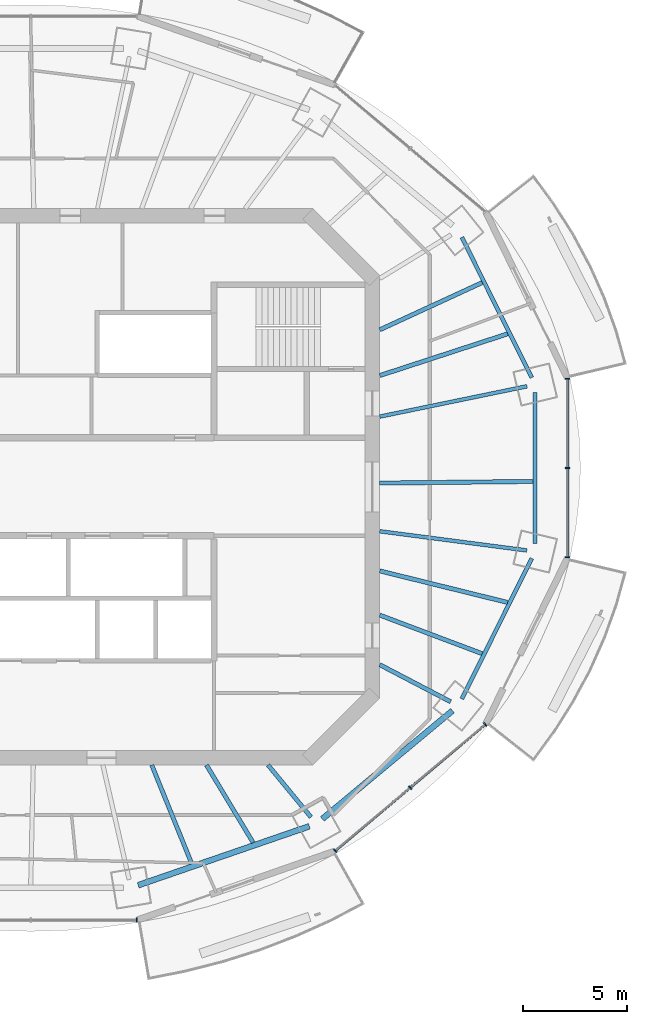
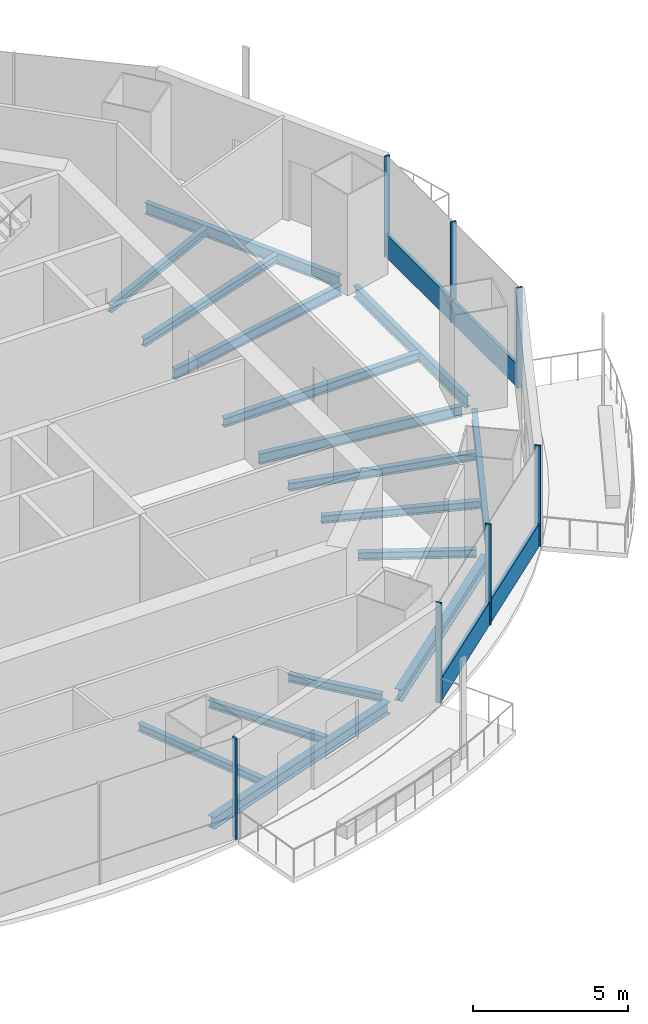
# One storey, part 4 of 16: 16 beams, 9 members, 3 elements without a shape of their own.
"""IFC4 building model written with IfcOpenShell, lengths in metres."""

from ifc_helpers import new_model, si_unit, direction, frame, origin, origin_2d, place, context, subcontext, project, spatial, rectangle, i_section, extrude, material, material_profile, profile_set, type_object, element, aggregate, save


model = new_model("IFC4")

# Units and contexts
model_context = context("Model", 3, precision=1e-05, world=origin(), true_north=direction((0.0, 1.0)))
body_context = subcontext(model_context, "Body", "Model", "MODEL_VIEW")
ifc_project = project(units=[si_unit("LENGTHUNIT", "METRE"), si_unit("AREAUNIT", "SQUARE_METRE"), si_unit("VOLUMEUNIT", "CUBIC_METRE"), si_unit("PLANEANGLEUNIT", "RADIAN"), si_unit("MASSUNIT", "GRAM", prefix="KILO")], contexts=[model_context])

# Site, building, storey
site_placement = place(None, origin())
site = spatial("IfcSite", under=ifc_project, at=site_placement, CompositionType="ELEMENT")
building_placement = place(site_placement, origin())
building = spatial("IfcBuilding", under=site, at=building_placement, Name="Marenthal Gate Tower", CompositionType="ELEMENT")
storey_placement = place(building_placement, frame((0.0, 0.0, 359.199951171875)))
storey = spatial("IfcBuildingStorey", under=building, at=storey_placement, Name="L81", CompositionType="ELEMENT", Elevation=359.199951171875)

# Curtain wall, member
ifc_material_1 = material(Name="Aluminium and glass", Category="aluminium")
curtain_wall_type = type_object("IfcCurtainWallType", Name="Curtain wall typical high", PredefinedType="NOTDEFINED", material=ifc_material_1)
curtain_wall_1_placement = place(storey_placement, origin())
curtain_wall_1 = element("IfcCurtainWall", 1, at=curtain_wall_1_placement, inside=storey, type_object=curtain_wall_type, Name="Curtain wall L81 bay 12", PredefinedType="NOTDEFINED")
ifc_material_2 = material(Name="Aluminium", Category="aluminium")
ifc_material_profile_1 = material_profile(ifc_material_2, rectangle(XDim=0.199951171875, YDim=0.06005859375, at=origin_2d()), Name="60x200 aluminium mullion")
ifc_profile_set_1 = profile_set([ifc_material_profile_1], Name="Aluminium")
member_type_1 = type_object("IfcMemberType", Name="Mullion 60x200 typical high", PredefinedType="MULLION", material=ifc_profile_set_1)
member_1_placement = place(storey_placement, frame((4.694091796875, -20.7861328125, 0.0), z_axis=(0.0, 0.0, 1.0), x_axis=(0.0, 1.0, 0.0)))
member_1 = element("IfcMember", 2, at=member_1_placement, type_object=member_type_1, Name="Mullion L81 bay 12.3", PredefinedType="MULLION", context=body_context, shape_type="SweptSolid", body=[
    extrude(rectangle(XDim=0.199951171875, YDim=0.06005859375, at=origin_2d()), origin(), (0.0, 0.0, 1.0), 3.969970703125),
])
aggregate(curtain_wall_1, [member_1])

# Curtain wall, members
curtain_wall_2_placement = place(storey_placement, origin())
curtain_wall_2 = element("IfcCurtainWall", 3, at=curtain_wall_2_placement, inside=storey, type_object=curtain_wall_type, Name="Curtain wall L81 bay 14", PredefinedType="NOTDEFINED")
member_2_placement = place(storey_placement, frame((14.215087890625, -17.46533203125, 0.0), z_axis=(0.0, 0.0, 1.0), x_axis=(-0.644022605429, 0.765006459905, 0.0)))
member_2 = element("IfcMember", 4, at=member_2_placement, type_object=member_type_1, Name="Mullion L81 bay 14.1", PredefinedType="MULLION", context=body_context, shape_type="SweptSolid", body=[
    extrude(rectangle(XDim=0.199951171875, YDim=0.06005859375, at=origin_2d()), origin(), (0.0, 0.0, 1.0), 3.969970703125),
])
member_3_placement = place(storey_placement, frame((17.8154296875, -14.434326171875, 0.0), z_axis=(0.0, 0.0, 1.0), x_axis=(-0.644022605429, 0.765006459905, 0.0)))
member_3 = element("IfcMember", 5, at=member_3_placement, type_object=member_type_1, Name="Mullion L81 bay 14.2", PredefinedType="MULLION", context=body_context, shape_type="SweptSolid", body=[
    extrude(rectangle(XDim=0.199951171875, YDim=0.06005859375, at=origin_2d()), origin(), (0.0, 0.0, 1.0), 3.969970703125),
])
member_4_placement = place(storey_placement, frame((21.41552734375, -11.403564453125, 0.0), z_axis=(0.0, 0.0, 1.0), x_axis=(-0.644022605429, 0.765006459905, 0.0)))
member_4 = element("IfcMember", 6, at=member_4_placement, type_object=member_type_1, Name="Mullion L81 bay 14.3", PredefinedType="MULLION", context=body_context, shape_type="SweptSolid", body=[
    extrude(rectangle(XDim=0.199951171875, YDim=0.06005859375, at=origin_2d()), origin(), (0.0, 0.0, 1.0), 3.969970703125),
])

curtain_wall_3_placement = place(storey_placement, origin())
curtain_wall_3 = element("IfcCurtainWall", 7, at=curtain_wall_3_placement, inside=storey, type_object=curtain_wall_type, Name="Curtain wall L81 bay 16", PredefinedType="NOTDEFINED")
member_5_placement = place(storey_placement, frame((25.3603515625, -3.383544921875, 0.0), z_axis=(0.0, 0.0, 1.0), x_axis=(-1.0, 0.0, 0.0)))
member_5 = element("IfcMember", 8, at=member_5_placement, type_object=member_type_1, Name="Mullion L81 bay 16.1", PredefinedType="MULLION", context=body_context, shape_type="SweptSolid", body=[
    extrude(rectangle(XDim=0.199951171875, YDim=0.06005859375, at=origin_2d()), origin(), (0.0, 0.0, 1.0), 3.969970703125),
])
member_6_placement = place(storey_placement, frame((25.3603515625, 0.89990234375, 0.0), z_axis=(0.0, 0.0, 1.0), x_axis=(-1.0, 0.0, 0.0)))
member_6 = element("IfcMember", 9, at=member_6_placement, type_object=member_type_1, Name="Mullion L81 bay 16.2", PredefinedType="MULLION", context=body_context, shape_type="SweptSolid", body=[
    extrude(rectangle(XDim=0.199951171875, YDim=0.06005859375, at=origin_2d()), origin(), (0.0, 0.0, 1.0), 3.969970703125),
])
member_7_placement = place(storey_placement, frame((25.3603515625, 5.18359375, 0.0), z_axis=(0.0, 0.0, 1.0), x_axis=(-1.0, 0.0, 0.0)))
member_7 = element("IfcMember", 10, at=member_7_placement, type_object=member_type_1, Name="Mullion L81 bay 16.3", PredefinedType="MULLION", context=body_context, shape_type="SweptSolid", body=[
    extrude(rectangle(XDim=0.199951171875, YDim=0.06005859375, at=origin_2d()), origin(), (0.0, 0.0, 1.0), 3.969970703125),
])

# Member
ifc_material_3 = material(Name="Aluminium", Category="aluminium")
ifc_material_profile_2 = material_profile(ifc_material_3, rectangle(XDim=0.1201171875, YDim=0.89990234375, at=origin_2d()), Name="120x900 aluminium transom")
ifc_profile_set_2 = profile_set([ifc_material_profile_2], Name="Aluminium")
member_type_2 = type_object("IfcMemberType", Name="Transom 120x900 typical high", PredefinedType="USERDEFINED", material=ifc_profile_set_2)
member_8_placement = place(storey_placement, frame((14.238037109375, -17.446044921875, 0.449951171875), z_axis=(0.764999870882, 0.644030432162, 0.0), x_axis=(-0.644030432162, 0.764999870882, 0.0)))
member_8 = element("IfcMember", 11, at=member_8_placement, type_object=member_type_2, Name="Transom L81 bay 14", ObjectType="TRANSOM", PredefinedType="USERDEFINED", context=body_context, shape_type="SweptSolid", body=[
    extrude(rectangle(XDim=0.1201171875, YDim=0.89990234375, at=origin_2d()), origin(), (0.0, 0.0, 1.0), 9.352294921875),
])

aggregate(curtain_wall_2, [member_2, member_3, member_4, member_8])

member_9_placement = place(storey_placement, frame((25.3603515625, -3.353515625, 0.449951171875), z_axis=(0.0, 1.0, 0.0), x_axis=(-1.0, 0.0, 0.0)))
member_9 = element("IfcMember", 12, at=member_9_placement, type_object=member_type_2, Name="Transom L81 bay 16", ObjectType="TRANSOM", PredefinedType="USERDEFINED", context=body_context, shape_type="SweptSolid", body=[
    extrude(rectangle(XDim=0.1201171875, YDim=0.89990234375, at=origin_2d()), origin(), (0.0, 0.0, 1.0), 8.507080078125),
])

aggregate(curtain_wall_3, [member_5, member_6, member_7, member_9])

# Beams
ifc_material_4 = material(Name="Steel S355", Category="steel")
ifc_material_profile_3 = material_profile(ifc_material_4, i_section(OverallWidth=0.202880859375, OverallDepth=0.302001953125, WebThickness=0.007568359375, FlangeThickness=0.01318359375, FilletRadius=0.0126953125, at=origin_2d()), Name="W310X60")
ifc_profile_set_3 = profile_set([ifc_material_profile_3], Name="Steel S355")
beam_type_1 = type_object("IfcBeamType", Name="W310X60 beam", PredefinedType="BEAM", material=ifc_profile_set_3)
beam_1_placement = place(storey_placement, frame((21.2666015625, 9.79931640625, -0.3310546875), z_axis=(-0.90822452273, -0.418483233013, 0.0), x_axis=(0.418483233013, -0.90822452273, 0.0)))
element("IfcBeam", 13, at=beam_1_placement, inside=storey, type_object=beam_type_1, Name="BM-L81-18", PredefinedType="BEAM", context=body_context, shape_type="SweptSolid", body=[
    extrude(i_section(OverallWidth=0.202880859375, OverallDepth=0.302001953125, WebThickness=0.007568359375, FlangeThickness=0.01318359375, FilletRadius=0.0126953125, at=origin_2d()), origin(), (0.0, 0.0, 1.0), 5.413330078125),
])
beam_2_placement = place(storey_placement, frame((7.32958984375, -18.085205078125, -0.3310546875), z_axis=(-0.375629684386, 0.92676984209, 0.0), x_axis=(-0.92676984209, -0.375629684386, 0.0)))
element("IfcBeam", 14, at=beam_2_placement, inside=storey, type_object=beam_type_1, Name="BM-L81-34", PredefinedType="BEAM", context=body_context, shape_type="SweptSolid", body=[
    extrude(i_section(OverallWidth=0.202880859375, OverallDepth=0.302001953125, WebThickness=0.007568359375, FlangeThickness=0.01318359375, FilletRadius=0.0126953125, at=origin_2d()), origin(), (0.0, 0.0, 1.0), 5.109375),
])
beam_3_placement = place(storey_placement, frame((10.274658203125, -17.070556640625, -0.3310546875), z_axis=(-0.515718873754, 0.856757867343, 0.0), x_axis=(-0.856757867343, -0.515718873754, 0.0)))
element("IfcBeam", 15, at=beam_3_placement, inside=storey, type_object=beam_type_1, Name="BM-L81-35", PredefinedType="BEAM", context=body_context, shape_type="SweptSolid", body=[
    extrude(i_section(OverallWidth=0.202880859375, OverallDepth=0.302001953125, WebThickness=0.007568359375, FlangeThickness=0.01318359375, FilletRadius=0.0126953125, at=origin_2d()), origin(), (0.0, 0.0, 1.0), 4.342529296875),
])
beam_4_placement = place(storey_placement, frame((21.263671875, -8.005615234375, -0.3310546875), z_axis=(-0.935858242886, 0.352376714926, 0.0), x_axis=(-0.352376714926, -0.935858242886, 0.0)))
element("IfcBeam", 16, at=beam_4_placement, inside=storey, type_object=beam_type_1, Name="BM-L81-36", PredefinedType="BEAM", context=body_context, shape_type="SweptSolid", body=[
    extrude(i_section(OverallWidth=0.202880859375, OverallDepth=0.302001953125, WebThickness=0.007568359375, FlangeThickness=0.01318359375, FilletRadius=0.0126953125, at=origin_2d()), origin(), (0.0, 0.0, 1.0), 5.250244140625),
])
ifc_material_5 = material(Name="Steel S355", Category="steel")
ifc_material_profile_4 = material_profile(ifc_material_5, i_section(OverallWidth=0.205078125, OverallDepth=0.31005859375, WebThickness=0.009521484375, FlangeThickness=0.016357421875, FilletRadius=0.0126953125, at=origin_2d()), Name="W310X74")
ifc_profile_set_4 = profile_set([ifc_material_profile_4], Name="Steel S355")
beam_type_2 = type_object("IfcBeamType", Name="W310X74 beam", PredefinedType="BEAM", material=ifc_profile_set_4)
beam_5_placement = place(storey_placement, frame((13.050537109375, -15.8505859375, -0.3349609375), z_axis=(-0.635635916032, 0.771988978063, 0.0), x_axis=(-0.771988978063, -0.635635916032, 0.0)))
element("IfcBeam", 17, at=beam_5_placement, inside=storey, type_object=beam_type_2, Name="BM-L81-14", PredefinedType="BEAM", context=body_context, shape_type="SweptSolid", body=[
    extrude(i_section(OverallWidth=0.205078125, OverallDepth=0.31005859375, WebThickness=0.009521484375, FlangeThickness=0.016357421875, FilletRadius=0.0126953125, at=origin_2d()), origin(), (0.0, 0.0, 1.0), 3.239013671875),
])
beam_6_placement = place(storey_placement, frame((19.754638671875, -10.313232421875, -0.3349609375), z_axis=(-0.88644539242, 0.462833194852, 0.0), x_axis=(-0.462833194852, -0.88644539242, 0.0)))
element("IfcBeam", 18, at=beam_6_placement, inside=storey, type_object=beam_type_2, Name="BM-L81-15", PredefinedType="BEAM", context=body_context, shape_type="SweptSolid", body=[
    extrude(i_section(OverallWidth=0.205078125, OverallDepth=0.31005859375, WebThickness=0.009521484375, FlangeThickness=0.016357421875, FilletRadius=0.0126953125, at=origin_2d()), origin(), (0.0, 0.0, 1.0), 3.840576171875),
])
beam_7_placement = place(storey_placement, frame((22.490234375, 7.34228515625, -0.3349609375), z_axis=(-0.950630491123, -0.310325102669, 0.0), x_axis=(0.310325102669, -0.950630491123, 0.0)))
element("IfcBeam", 19, at=beam_7_placement, inside=storey, type_object=beam_type_2, Name="BM-L81-17", PredefinedType="BEAM", context=body_context, shape_type="SweptSolid", body=[
    extrude(i_section(OverallWidth=0.205078125, OverallDepth=0.31005859375, WebThickness=0.009521484375, FlangeThickness=0.016357421875, FilletRadius=0.0126953125, at=origin_2d()), origin(), (0.0, 0.0, 1.0), 6.458984375),
])
beam_8_placement = place(storey_placement, frame((22.487060546875, -5.549072265625, -0.3349609375), z_axis=(-0.970876392675, 0.239580946961, 0.0), x_axis=(-0.239580946961, -0.970876392675, 0.0)))
element("IfcBeam", 20, at=beam_8_placement, inside=storey, type_object=beam_type_2, Name="BM-L81-37", PredefinedType="BEAM", context=body_context, shape_type="SweptSolid", body=[
    extrude(i_section(OverallWidth=0.205078125, OverallDepth=0.31005859375, WebThickness=0.009521484375, FlangeThickness=0.016357421875, FilletRadius=0.0126953125, at=origin_2d()), origin(), (0.0, 0.0, 1.0), 6.321044921875),
])
ifc_material_6 = material(Name="Steel S355", Category="steel")
ifc_material_profile_5 = material_profile(ifc_material_6, i_section(OverallWidth=0.205078125, OverallDepth=0.35302734375, WebThickness=0.009521484375, FlangeThickness=0.016845703125, FilletRadius=0.014892578125, at=origin_2d()), Name="W360X79")
ifc_profile_set_5 = profile_set([ifc_material_profile_5], Name="Steel S355")
beam_type_3 = type_object("IfcBeamType", Name="W360X79 beam", PredefinedType="BEAM", material=ifc_profile_set_5)
beam_9_placement = place(storey_placement, frame((23.715087890625, 0.258056640625, -0.3564453125), z_axis=(-0.999940896263, -0.010872165412, 0.0), x_axis=(0.010872165412, -0.999940896263, 0.0)))
element("IfcBeam", 21, at=beam_9_placement, inside=storey, type_object=beam_type_3, Name="BM-L81-38", PredefinedType="BEAM", context=body_context, shape_type="SweptSolid", body=[
    extrude(i_section(OverallWidth=0.205078125, OverallDepth=0.35302734375, WebThickness=0.009521484375, FlangeThickness=0.016845703125, FilletRadius=0.014892578125, at=origin_2d()), origin(), (0.0, 0.0, 1.0), 7.365478515625),
])
ifc_material_7 = material(Name="Steel S355", Category="steel")
ifc_material_profile_6 = material_profile(ifc_material_7, i_section(OverallWidth=0.180908203125, OverallDepth=0.4169921875, WebThickness=0.010986328125, FlangeThickness=0.018310546875, FilletRadius=0.01025390625, at=origin_2d()), Name="W410X85")
ifc_profile_set_6 = profile_set([ifc_material_profile_6], Name="Steel S355")
beam_type_4 = type_object("IfcBeamType", Name="W410X85 beam", PredefinedType="BEAM", material=ifc_profile_set_6)
beam_10_placement = place(storey_placement, frame((23.41845703125, 4.82470703125, -0.388427734375), z_axis=(-0.979428341532, -0.201792278849, 0.0), x_axis=(0.201792278849, -0.979428341532, 0.0)))
element("IfcBeam", 22, at=beam_10_placement, inside=storey, type_object=beam_type_4, Name="BM-L81-01", PredefinedType="BEAM", context=body_context, shape_type="SweptSolid", body=[
    extrude(i_section(OverallWidth=0.180908203125, OverallDepth=0.4169921875, WebThickness=0.010986328125, FlangeThickness=0.018310546875, FilletRadius=0.01025390625, at=origin_2d()), origin(), (0.0, 0.0, 1.0), 7.216796875),
])
beam_11_placement = place(storey_placement, frame((23.4091796875, -3.052978515625, -0.388427734375), z_axis=(-0.991602132217, 0.129325988815, 0.0), x_axis=(-0.129325988815, -0.991602132217, 0.0)))
element("IfcBeam", 23, at=beam_11_placement, inside=storey, type_object=beam_type_4, Name="BM-L81-16", PredefinedType="BEAM", context=body_context, shape_type="SweptSolid", body=[
    extrude(i_section(OverallWidth=0.180908203125, OverallDepth=0.4169921875, WebThickness=0.010986328125, FlangeThickness=0.018310546875, FilletRadius=0.01025390625, at=origin_2d()), origin(), (0.0, 0.0, 1.0), 7.118896484375),
])
ifc_material_8 = material(Name="Steel S355", Category="steel")
ifc_material_profile_7 = material_profile(ifc_material_8, i_section(OverallWidth=0.279052734375, OverallDepth=0.4619140625, WebThickness=0.0107421875, FlangeThickness=0.017333984375, FilletRadius=0.010009765625, at=origin_2d()), Name="W460X113")
ifc_profile_set_7 = profile_set([ifc_material_profile_7], Name="Steel S355")
beam_type_5 = type_object("IfcBeamType", Name="W460X113 beam", PredefinedType="BEAM", material=ifc_profile_set_7)
beam_12_placement = place(storey_placement, frame((4.75830078125, -19.11865234375, -0.410888671875), z_axis=(0.945462255224, 0.325731674766, 0.0), x_axis=(-0.325731674766, 0.945462255224, 0.0)))
element("IfcBeam", 24, at=beam_12_placement, inside=storey, type_object=beam_type_5, Name="BM-L81-51", PredefinedType="BEAM", context=body_context, shape_type="SweptSolid", body=[
    extrude(i_section(OverallWidth=0.279052734375, OverallDepth=0.4619140625, WebThickness=0.0107421875, FlangeThickness=0.017333984375, FilletRadius=0.010009765625, at=origin_2d()), origin(), (0.0, 0.0, 1.0), 8.68603515625),
])
beam_13_placement = place(storey_placement, frame((13.594970703125, -15.9375, -0.410888671875), z_axis=(0.768814455902, 0.639471916816, 0.0), x_axis=(-0.639471916816, 0.768814455902, 0.0)))
element("IfcBeam", 25, at=beam_13_placement, inside=storey, type_object=beam_type_5, Name="BM-L81-52", PredefinedType="BEAM", context=body_context, shape_type="SweptSolid", body=[
    extrude(i_section(OverallWidth=0.279052734375, OverallDepth=0.4619140625, WebThickness=0.0107421875, FlangeThickness=0.017333984375, FilletRadius=0.010009765625, at=origin_2d()), origin(), (0.0, 0.0, 1.0), 8.1259765625),
])
ifc_material_9 = material(Name="Steel S355", Category="steel")
ifc_material_profile_8 = material_profile(ifc_material_9, i_section(OverallWidth=0.19091796875, OverallDepth=0.45703125, WebThickness=0.009033203125, FlangeThickness=0.014404296875, FilletRadius=0.01025390625, at=origin_2d()), Name="W460X74")
ifc_profile_set_8 = profile_set([ifc_material_profile_8], Name="Steel S355")
beam_type_6 = type_object("IfcBeamType", Name="W460X74 beam", PredefinedType="BEAM", material=ifc_profile_set_8)
for number, where, z_axis, x_axis, name in (
    (26, (23.644775390625, 5.23876953125, -0.408447265625), (-0.445798626481, 0.895133277578, 0.0), (-0.895133277578, -0.445798626481, 0.0), "BM-L81-39"),
    (27, (20.289794921875, -10.17529296875, -0.408447265625), (0.445798626481, 0.895133277578, 0.0), (-0.895133277578, 0.445798626481, 0.0), "BM-L81-53"),
):
    element("IfcBeam", number, at=place(storey_placement, frame(where, z_axis=z_axis, x_axis=x_axis)), inside=storey, type_object=beam_type_6, Name=name, PredefinedType="BEAM", context=body_context, shape_type="SweptSolid", body=[
        extrude(i_section(OverallWidth=0.19091796875, OverallDepth=0.45703125, WebThickness=0.009033203125, FlangeThickness=0.014404296875, FilletRadius=0.01025390625, at=origin_2d()), origin(), (0.0, 0.0, 1.0), 7.52587890625),
    ])
beam_14_placement = place(storey_placement, frame((23.810791015625, -2.7314453125, -0.408447265625), z_axis=(0.0, 1.0, 0.0), x_axis=(-1.0, 0.0, 0.0)))
element("IfcBeam", 28, at=beam_14_placement, inside=storey, type_object=beam_type_6, Name="BM-L81-54", PredefinedType="BEAM", context=body_context, shape_type="SweptSolid", body=[
    extrude(i_section(OverallWidth=0.19091796875, OverallDepth=0.45703125, WebThickness=0.009033203125, FlangeThickness=0.014404296875, FilletRadius=0.01025390625, at=origin_2d()), origin(), (0.0, 0.0, 1.0), 7.262939453125),
])

save(model, "model.ifc")
